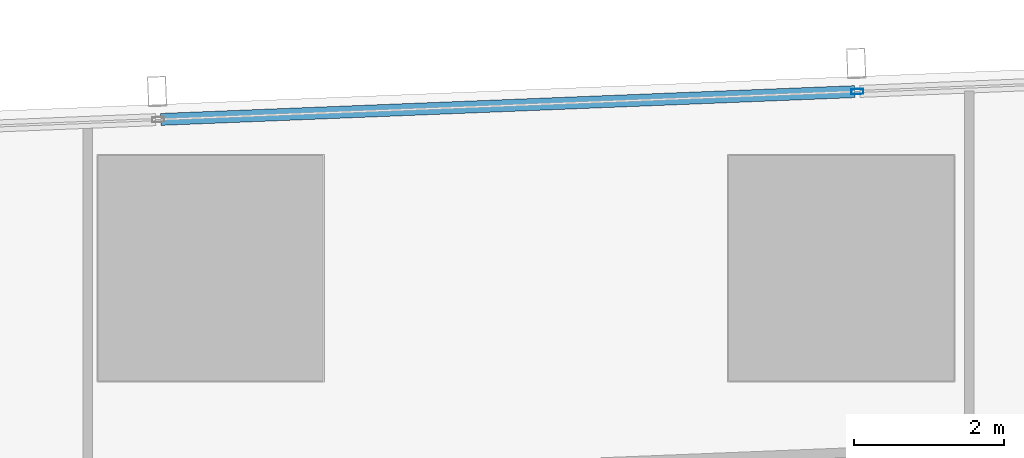
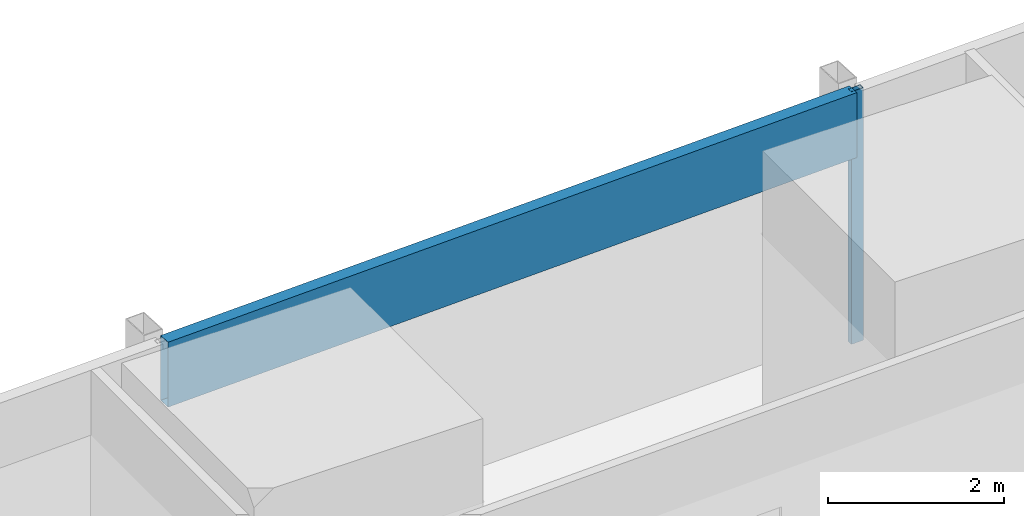
# One storey, part 16 of 39: 2 members, 1 element without a shape of its own.
"""IFC4 building model written with IfcOpenShell, lengths in metres."""

from ifc_helpers import new_model, si_unit, direction, frame, origin, origin_2d, place, context, subcontext, project, spatial, hollow_rectangle, extrude, material, material_profile, profile_set, type_object, element, aggregate, save


model = new_model("IFC4")

# Units and contexts
model_context = context("Model", 3, precision=1e-05, world=origin(), true_north=direction((0.0, 1.0)))
body_context = subcontext(model_context, "Body", "Model", "MODEL_VIEW")
ifc_project = project(units=[si_unit("LENGTHUNIT", "METRE"), si_unit("AREAUNIT", "SQUARE_METRE"), si_unit("VOLUMEUNIT", "CUBIC_METRE"), si_unit("PLANEANGLEUNIT", "RADIAN"), si_unit("MASSUNIT", "GRAM", prefix="KILO")], contexts=[model_context])

# Site, building, storey
site_placement = place(None, origin())
site = spatial("IfcSite", under=ifc_project, at=site_placement, CompositionType="ELEMENT")
building_placement = place(site_placement, origin())
building = spatial("IfcBuilding", under=site, at=building_placement, Name="Rekha Terrace Tower", CompositionType="ELEMENT")
storey_placement = place(building_placement, frame((0.0, 0.0, 155.300048828125)))
storey = spatial("IfcBuildingStorey", under=building, at=storey_placement, Name="L39", CompositionType="ELEMENT", Elevation=155.300048828125)

# Curtain wall, members
ifc_material_1 = material(Name="Aluminium framing", Category="aluminium")
curtain_wall_type = type_object("IfcCurtainWallType", Name="CW3 north unitised glazing", PredefinedType="USERDEFINED", material=ifc_material_1)
curtain_wall_placement = place(storey_placement, origin())
curtain_wall = element("IfcCurtainWall", 1, at=curtain_wall_placement, inside=storey, type_object=curtain_wall_type, Name="CW3 unitised curtain wall", ObjectType="UNITISED CURTAIN WALL", PredefinedType="USERDEFINED")
ifc_material_2 = material(Name="Aluminium mullion section", Category="aluminium")
ifc_material_profile_1 = material_profile(ifc_material_2, hollow_rectangle(XDim=0.070068359375, YDim=0.159912109375, WallThickness=0.00390625, at=origin_2d()), Name="AL RHS 70x160")
ifc_profile_set_1 = profile_set([ifc_material_profile_1], Name="Aluminium mullion section")
member_type_1 = type_object("IfcMemberType", Name="CW3 mullion RHS 70 x 160", PredefinedType="MULLION", material=ifc_profile_set_1)
member_1_placement = place(storey_placement, frame((25.413818359375, 61.153564453125, 0.0), z_axis=(0.0, 0.0, 1.0), x_axis=(0.040031987119, -0.999198398721, 0.0)))
member_1 = element("IfcMember", 2, at=member_1_placement, type_object=member_type_1, Name="CW3 mullion 3", PredefinedType="MULLION", context=body_context, shape_type="SweptSolid", body=[
    extrude(hollow_rectangle(XDim=0.070068359375, YDim=0.159912109375, WallThickness=0.00390625, at=origin_2d()), origin(), (0.0, 0.0, 1.0), 3.5),
])
ifc_material_3 = material(Name="Insulated aluminium spandrel box", Category="aluminium")
ifc_material_profile_2 = material_profile(ifc_material_3, hollow_rectangle(XDim=0.159912109375, YDim=0.89990234375, WallThickness=0.0029296875, at=origin_2d()), Name="AL SPANDREL BOX 160x900")
ifc_profile_set_2 = profile_set([ifc_material_profile_2], Name="Insulated aluminium spandrel box")
member_type_2 = type_object("IfcMemberType", Name="CW3 spandrel transom 160 x 900", PredefinedType="USERDEFINED", material=ifc_profile_set_2)
member_2_placement = place(storey_placement, frame((25.37890625, 61.152099609375, 3.050048828125), z_axis=(-0.999199102424, -0.040014418831, 0.0), x_axis=(0.040014418831, -0.999199102424, 0.0)))
member_2 = element("IfcMember", 3, at=member_2_placement, type_object=member_type_2, Name="CW3 spandrel transom 3", ObjectType="TRANSOM", PredefinedType="USERDEFINED", context=body_context, shape_type="SweptSolid", body=[
    extrude(hollow_rectangle(XDim=0.159912109375, YDim=0.89990234375, WallThickness=0.0029296875, at=origin_2d()), origin(), (0.0, 0.0, 1.0), 9.24951171875),
])
aggregate(curtain_wall, [member_1, member_2])

save(model, "model.ifc")
